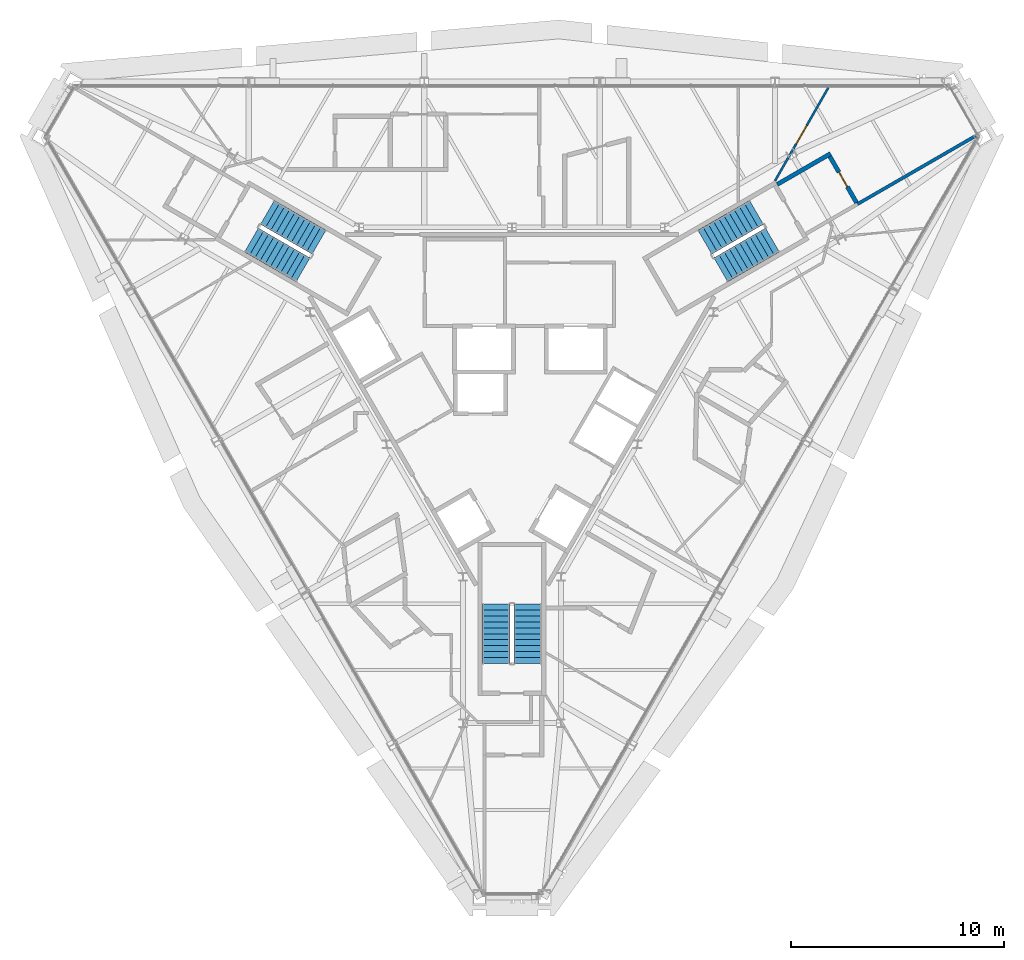
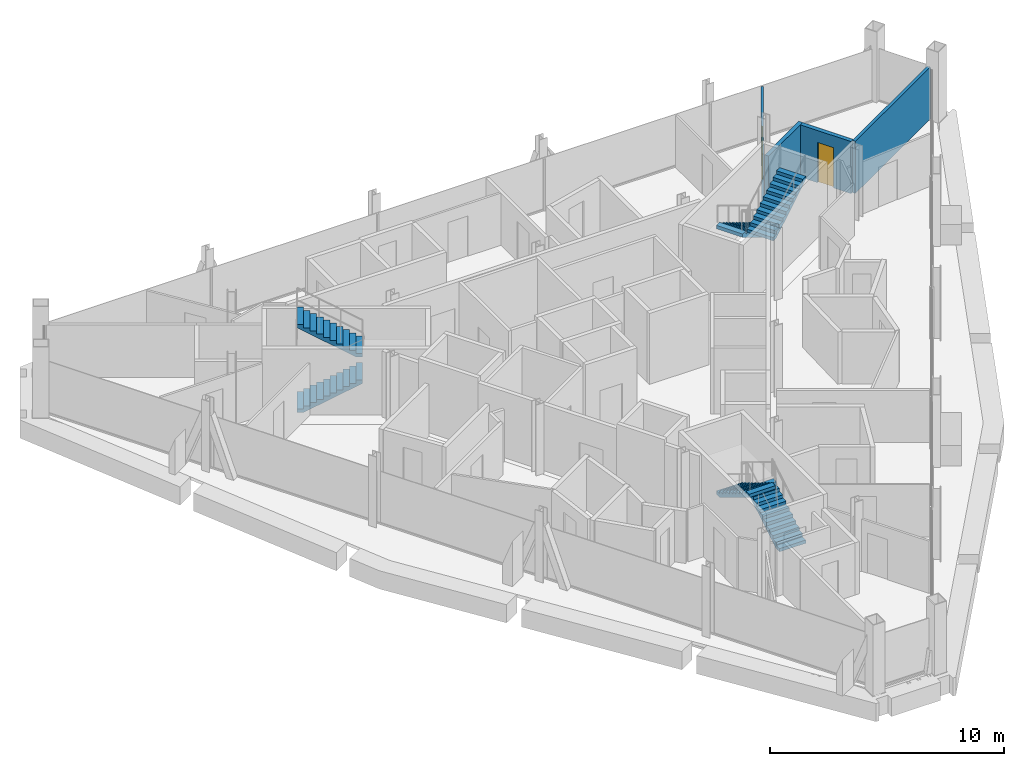
# One storey, part 11 of 13: 6 stair flights, 4 walls, 2 doors, 2 openings, 3 elements without a shape of their own.
"""IFC4 building model written with IfcOpenShell, lengths in metres."""

import ifcopenshell
import ifcopenshell.guid

model = None  # the IFC model being written
_history = None  # IfcOwnerHistory: only IFC2X3 demands one
_inside = {}  # id of a spatial element -> (the spatial element, [elements in it])
_under = {}  # id of a project, library or spatial element -> (it, [spatial elements below it])
_declared = {}  # id of a project -> (the project, [libraries it declares])
_typed = {}  # id of a type object -> (the type object, [elements of that type])
_made_of = {}  # id of a material, layer set ... -> (it, [elements and type objects made of it])


def new_model(schema):
    """Start an empty IFC model of exactly this schema.

    Asked for "IFC4X3", IfcOpenShell would pick the latest addendum, in which some entities
    have other attributes; the version numbers below select the first issue.
    IFC2X3 requires an IfcOwnerHistory on every rooted entity: one is made here for all.
    """
    global model, _history
    if schema == "IFC4X3":
        model = ifcopenshell.file(schema_version=(4, 3, 0, 0))
    else:
        model = ifcopenshell.file(schema=schema)
    _inside.clear()
    _under.clear()
    _declared.clear()
    _typed.clear()
    _made_of.clear()
    _history = None
    if model.schema == "IFC2X3":
        org = make("IfcOrganization", Name="unknown")
        user = make(
            "IfcPersonAndOrganization",
            ThePerson=make("IfcPerson", FamilyName="unknown"),
            TheOrganization=org,
        )
        app = make(
            "IfcApplication",
            ApplicationDeveloper=org,
            Version="unknown",
            ApplicationFullName="unknown",
            ApplicationIdentifier="unknown",
        )
        _history = make(
            "IfcOwnerHistory",
            OwningUser=user,
            OwningApplication=app,
            ChangeAction="ADDED",
            CreationDate=0,
        )
    return model


def make(cls, **values):
    """One entity of the class cls with the attributes given. An attribute that is None is left unset."""
    return model.create_entity(
        cls, **{name: value for name, value in values.items() if value is not None}
    )


def rooted(cls, **values):
    """An entity with a GlobalId (a new one), such as an element, a storey or a relation."""
    return make(cls, GlobalId=ifcopenshell.guid.new(), OwnerHistory=_history, **values)


def si_unit(unit_type, name, prefix=None):
    """IfcSIUnit, for example si_unit("LENGTHUNIT", "METRE", prefix="MILLI")."""
    return make("IfcSIUnit", UnitType=unit_type, Prefix=prefix, Name=name)


def assignment(units):
    """IfcUnitAssignment: the units of a project."""
    return None if units is None else make("IfcUnitAssignment", Units=units)


def point(xyz):
    """IfcCartesianPoint."""
    return None if xyz is None else make("IfcCartesianPoint", Coordinates=xyz)


def direction(xyz):
    """IfcDirection."""
    return None if xyz is None else make("IfcDirection", DirectionRatios=xyz)


def frame(location, z_axis=None, x_axis=None):
    """IfcAxis2Placement3D, a coordinate frame: its origin and axes. An axis left out is left unset."""
    return make(
        "IfcAxis2Placement3D",
        Location=point(location),
        Axis=direction(z_axis),
        RefDirection=direction(x_axis),
    )


def frame_2d(location, x_axis=None):
    """IfcAxis2Placement2D, a coordinate frame in the plane: its origin and x axis."""
    return make(
        "IfcAxis2Placement2D", Location=point(location), RefDirection=direction(x_axis)
    )


def origin():
    """The frame at (0, 0, 0) with its axes left unset."""
    return frame((0.0, 0.0, 0.0))


def place(relative_to, where):
    """IfcLocalPlacement: puts the frame where relative to a parent placement (None: the world)."""
    return make(
        "IfcLocalPlacement", PlacementRelTo=relative_to, RelativePlacement=where
    )


def context(
    kind, dimensions, precision=None, world=None, true_north=None, identifier=None
):
    """IfcGeometricRepresentationContext, for example the 3D "Model" context."""
    return make(
        "IfcGeometricRepresentationContext",
        ContextIdentifier=identifier,
        ContextType=kind,
        CoordinateSpaceDimension=dimensions,
        Precision=precision,
        WorldCoordinateSystem=world,
        TrueNorth=true_north,
    )


def subcontext(parent, identifier, kind, view, scale=None):
    """IfcGeometricRepresentationSubContext, for example "Body" below "Model"."""
    return make(
        "IfcGeometricRepresentationSubContext",
        ContextIdentifier=identifier,
        ContextType=kind,
        ParentContext=parent,
        TargetScale=scale,
        TargetView=view,
    )


def project(units=None, contexts=None):
    """IfcProject with its units and contexts."""
    return rooted(
        "IfcProject",
        Name="project",
        RepresentationContexts=contexts,
        UnitsInContext=assignment(units),
    )


def spatial(cls, under=None, at=None, **own):
    """A site, building, storey or space (cls), placed at a placement, below another one or the project."""
    s = rooted(cls, ObjectPlacement=at, **own)
    if under is not None:
        _under.setdefault(under.id(), (under, []))[1].append(s)
    return s


def polyline(points):
    """IfcPolyline through the points."""
    return make("IfcPolyline", Points=[point(p) for p in points])


def profile(cls, at=None, kind="AREA", **sizes):
    """A parametric profile (cls). Its sizes go by their IFC names, for example OverallWidth=200.0."""
    return make(cls, ProfileType=kind, Position=at, **sizes)


def rectangle(**sizes):
    """IfcRectangleProfileDef."""
    return profile("IfcRectangleProfileDef", **sizes)


def outline(outer, holes=None, kind="AREA"):
    """IfcArbitraryClosedProfileDef: a profile drawn as a closed curve; with holes, ...WithVoids."""
    if holes is None:
        return make("IfcArbitraryClosedProfileDef", ProfileType=kind, OuterCurve=outer)
    return make(
        "IfcArbitraryProfileDefWithVoids",
        ProfileType=kind,
        OuterCurve=outer,
        InnerCurves=holes,
    )


def extrude(swept, where, along, depth):
    """IfcExtrudedAreaSolid: the profile swept, set in the frame where, extruded along a direction by depth."""
    return make(
        "IfcExtrudedAreaSolid",
        SweptArea=swept,
        Position=where,
        ExtrudedDirection=direction(along),
        Depth=depth,
    )


def shape(context_of_items, identifier, shape_type, items):
    """IfcShapeRepresentation: the items that make up one representation, for example the "Body"."""
    return make(
        "IfcShapeRepresentation",
        ContextOfItems=context_of_items,
        RepresentationIdentifier=identifier,
        RepresentationType=shape_type,
        Items=items,
    )


def material(Name=None, Category=None):
    """IfcMaterial."""
    return make("IfcMaterial", Name=Name, Category=Category)


def layer(
    of_material, thickness, ventilated=None, Name=None, Category=None, Priority=None
):
    """IfcMaterialLayer: one layer of a wall or slab, of a material (None: an air gap)."""
    return make(
        "IfcMaterialLayer",
        Material=of_material,
        LayerThickness=thickness,
        IsVentilated=ventilated,
        Name=Name,
        Category=Category,
        Priority=Priority,
    )


def layer_set(layers, Name=None):
    """IfcMaterialLayerSet."""
    return make("IfcMaterialLayerSet", MaterialLayers=layers, LayerSetName=Name)


def made_of(thing, what):
    """Note that an element or type object is made of a material, layer set ...; save() writes the relation."""
    if what is not None:
        _made_of.setdefault(what.id(), (what, []))[1].append(thing)
    return thing


def type_object(cls, material=None, **own):
    """A type object (cls), such as IfcWallType, which elements share."""
    return made_of(rooted(cls, **own), material)


def element(
    cls,
    number,
    at=None,
    inside=None,
    cuts=None,
    type_object=None,
    material=None,
    context=None,
    identifier="Body",
    shape_type=None,
    held_by="IfcProductDefinitionShape",
    body=None,
    shapes=None,
    **own,
):
    """One element of the class cls, such as IfcWall. Its Tag is "e" and its number.

    at: its placement. inside: the storey or other place that contains it. cuts: it is an
    opening in that element (IfcRelVoidsElement). A single representation is given by context,
    identifier, shape_type and body (its items); several are given by shapes. held_by: the class
    of the entity that holds the representations. save() writes the other relations.
    """
    e = rooted(cls, Tag="e%d" % number, ObjectPlacement=at, **own)
    if body is not None:
        shapes = [shape(context, identifier, shape_type, body)]
    if shapes is not None:
        e.Representation = make(held_by, Representations=shapes)
    if inside is not None:
        _inside.setdefault(inside.id(), (inside, []))[1].append(e)
    if cuts is not None:
        rooted(
            "IfcRelVoidsElement", RelatingBuildingElement=cuts, RelatedOpeningElement=e
        )
    if type_object is not None:
        _typed.setdefault(type_object.id(), (type_object, []))[1].append(e)
    return made_of(e, material)


def fill(opening, filler):
    """IfcRelFillsElement: the door or window that sits in an opening."""
    return rooted(
        "IfcRelFillsElement",
        RelatingOpeningElement=opening,
        RelatedBuildingElement=filler,
    )


def aggregate(whole, parts):
    """IfcRelAggregates: a whole, such as a stair, and the parts it consists of."""
    return rooted("IfcRelAggregates", RelatingObject=whole, RelatedObjects=parts)


def save(model, path):
    """Write the relations noted so far, then the file.

    IfcRelAggregates (storeys below a building ...), IfcRelContainedInSpatialStructure (elements
    in a storey), IfcRelDefinesByType, IfcRelAssociatesMaterial and IfcRelDeclares: one each for
    every whole, place, type object, material and project.
    """
    for whole, parts in _under.values():
        aggregate(whole, parts)
    for where, things in _inside.values():
        rooted(
            "IfcRelContainedInSpatialStructure",
            RelatedElements=things,
            RelatingStructure=where,
        )
    for kind, things in _typed.values():
        rooted("IfcRelDefinesByType", RelatedObjects=things, RelatingType=kind)
    for what, things in _made_of.values():
        rooted("IfcRelAssociatesMaterial", RelatedObjects=things, RelatingMaterial=what)
    for by, libraries in _declared.values():
        rooted("IfcRelDeclares", RelatingContext=by, RelatedDefinitions=libraries)
    model.write(path)


model = new_model("IFC4")

# Units and contexts
model_context = context("Model", 3, precision=1e-05, world=origin(), true_north=direction((0.0, 1.0)))
body_context = subcontext(model_context, "Body", "Model", "MODEL_VIEW")
ifc_project = project(units=[si_unit("LENGTHUNIT", "METRE"), si_unit("AREAUNIT", "SQUARE_METRE"), si_unit("VOLUMEUNIT", "CUBIC_METRE"), si_unit("PLANEANGLEUNIT", "RADIAN"), si_unit("MASSUNIT", "GRAM", prefix="KILO")], contexts=[model_context])

# Site, building, storey
site_placement = place(None, origin())
site = spatial("IfcSite", under=ifc_project, at=site_placement, CompositionType="ELEMENT")
building_placement = place(site_placement, origin())
building = spatial("IfcBuilding", under=site, at=building_placement, Name="Verrane Prism Tower", CompositionType="ELEMENT")
storey_placement = place(building_placement, frame((0.0, 0.0, 282.5)))
storey = spatial("IfcBuildingStorey", under=building, at=storey_placement, Name="L71", CompositionType="ELEMENT", Elevation=282.5)

# Wall, opening, door
ifc_material_1 = material(Name="Gypsum board partition", Category="other")
ifc_layer_1 = layer(ifc_material_1, 0.10009765625)
ifc_layer_set_1 = layer_set([ifc_layer_1], Name="PW-100 room partition")
wall_type_1 = type_object("IfcWallType", Name="PW-100 room partition", PredefinedType="PARTITIONING", material=ifc_layer_set_1)
wall_1_placement = place(storey_placement, frame((14.867919921875, 13.361572265625, 0.0), z_axis=(0.0, 0.0, 1.0), x_axis=(-0.496681239155, -0.867933031214, 0.0)))
wall_1 = element("IfcWall", 1, at=wall_1_placement, inside=storey, type_object=wall_type_1, Name="Room partition 068", PredefinedType="PARTITIONING", context=body_context, shape_type="SweptSolid", body=[
    extrude(rectangle(XDim=5.041259765625, YDim=0.10009765625, at=frame_2d((2.5205078125, 0.0))), origin(), (0.0, 0.0, 1.0), 2.722900390625),
])
opening_1_placement = place(wall_1_placement, frame((2.041259765625, 0.0, 0.0)))
opening_1 = element("IfcOpeningElement", 2, at=opening_1_placement, cuts=wall_1, Name="Opening D69013", PredefinedType="OPENING", context=body_context, shape_type="SweptSolid", body=[
    extrude(rectangle(XDim=1.0, YDim=2.10009765625, at=frame_2d((0.5, 1.050048828125))), frame((0.0, 0.06005859375, 0.0), z_axis=(0.0, -1.0, 0.0), x_axis=(1.0, 0.0, 0.0)), (0.0, 0.0, 1.0), 0.1201171875),
])
ifc_material_2 = material(Name="Timber veneered door leaf", Category="wood")
door_type_1 = type_object("IfcDoorType", Name="DR-1000x2100 single leaf inner", OperationType="NOTDEFINED", PredefinedType="DOOR", material=ifc_material_2)
door_1_placement = place(opening_1_placement, origin())
door_1 = element("IfcDoor", 3, at=door_1_placement, inside=storey, type_object=door_type_1, Name="Study door", OperationType="SINGLE_SWING_RIGHT", OverallHeight=2.10009765625, OverallWidth=1.0, PredefinedType="DOOR", context=body_context, shape_type="SweptSolid", body=[
    extrude(rectangle(XDim=1.0, YDim=2.10009765625, at=frame_2d((0.5, 1.050048828125))), frame((0.0, 0.02490234375, 0.0), z_axis=(0.0, -1.0, 0.0), x_axis=(1.0, 0.0, 0.0)), (0.0, 0.0, 1.0), 0.050048828125),
])
fill(opening_1, door_1)

# Walls
ifc_material_3 = material(Name="Gypsum board partition", Category="other")
ifc_layer_2 = layer(ifc_material_3, 0.14990234375)
ifc_layer_set_2 = layer_set([ifc_layer_2], Name="PW-150 demising wall 1 h")
wall_type_2 = type_object("IfcWallType", Name="PW-150 demising wall 1 h", PredefinedType="PARTITIONING", material=ifc_layer_set_2)
wall_2_placement = place(storey_placement, frame((16.236083984375, 7.888916015625, 0.0), z_axis=(0.0, 0.0, 1.0), x_axis=(0.865995456094, 0.500051867335, 0.0)))
element("IfcWall", 4, at=wall_2_placement, inside=storey, type_object=wall_type_2, Name="Demising wall 075", PredefinedType="PARTITIONING", context=body_context, shape_type="SweptSolid", body=[
    extrude(rectangle(XDim=6.415283203125, YDim=0.14990234375, at=frame_2d((3.20751953125, 0.0))), origin(), (0.0, 0.0, 1.0), 2.722900390625),
])
ifc_material_4 = material(Name="Gypsum board partition", Category="other")
ifc_layer_3 = layer(ifc_material_4, 0.199951171875)
ifc_layer_set_3 = layer_set([ifc_layer_3], Name="PW-200 plumbing wall")
wall_type_3 = type_object("IfcWallType", Name="PW-200 plumbing wall", PredefinedType="PARTITIONING", material=ifc_layer_set_3)
wall_3_placement = place(storey_placement, frame((12.464111328125, 8.81298828125, 0.0), z_axis=(0.0, 0.0, 1.0), x_axis=(0.865948555758, 0.50013308107, 0.0)))
element("IfcWall", 5, at=wall_3_placement, inside=storey, type_object=wall_type_3, Name="Plumbing wall 069", PredefinedType="PARTITIONING", context=body_context, shape_type="SweptSolid", body=[
    extrude(rectangle(XDim=2.899169921875, YDim=0.199951171875, at=frame_2d((1.44970703125, 0.0))), origin(), (0.0, 0.0, 1.0), 2.722900390625),
])

# Wall, opening, door
wall_4_placement = place(storey_placement, frame((16.193603515625, 7.951904296875, 0.0), z_axis=(0.0, 0.0, 1.0), x_axis=(-0.500039460523, 0.866002620042, 0.0)))
wall_4 = element("IfcWall", 6, at=wall_4_placement, inside=storey, type_object=wall_type_3, Name="Plumbing wall 072", PredefinedType="PARTITIONING", context=body_context, shape_type="SweptSolid", body=[
    extrude(rectangle(XDim=2.510986328125, YDim=0.199951171875, at=frame_2d((1.25537109375, 0.0))), origin(), (0.0, 0.0, 1.0), 2.722900390625),
])
opening_2_placement = place(wall_4_placement, frame((0.86083984375, 0.0, 0.0)))
opening_2 = element("IfcOpeningElement", 7, at=opening_2_placement, cuts=wall_4, Name="Opening D69014", PredefinedType="OPENING", context=body_context, shape_type="SweptSolid", body=[
    extrude(rectangle(XDim=0.800048828125, YDim=2.10009765625, at=frame_2d((0.39990234375, 1.050048828125))), frame((0.0, 0.10986328125, 0.0), z_axis=(0.0, -1.0, 0.0), x_axis=(1.0, 0.0, 0.0)), (0.0, 0.0, 1.0), 0.219970703125),
])
ifc_material_5 = material(Name="Timber veneered door leaf", Category="wood")
door_type_2 = type_object("IfcDoorType", Name="DR-800x2100 single leaf bath", OperationType="NOTDEFINED", PredefinedType="DOOR", material=ifc_material_5)
door_2_placement = place(opening_2_placement, origin())
door_2 = element("IfcDoor", 8, at=door_2_placement, inside=storey, type_object=door_type_2, Name="Master Bathroom door", OperationType="SINGLE_SWING_LEFT", OverallHeight=2.10009765625, OverallWidth=0.800048828125, PredefinedType="DOOR", context=body_context, shape_type="SweptSolid", body=[
    extrude(rectangle(XDim=0.800048828125, YDim=2.10009765625, at=frame_2d((0.39990234375, 1.050048828125))), frame((0.0, 0.02490234375, 0.0), z_axis=(0.0, -1.0, 0.0), x_axis=(1.0, 0.0, 0.0)), (0.0, 0.0, 1.0), 0.050048828125),
])
fill(opening_2, door_2)

# Stair, stair flights
ifc_material_6 = material(Name="Concrete C40/50", Category="concrete")
stair_type = type_object("IfcStairType", Name="Exit stair 1300 dog-leg precast concrete C40/50", PredefinedType="HALF_TURN_STAIR", material=ifc_material_6)
stair_1_placement = place(storey_placement, origin())
stair_1 = element("IfcStair", 9, at=stair_1_placement, inside=storey, type_object=stair_type, Name="Stair 1 L71", PredefinedType="HALF_TURN_STAIR")
ifc_material_7 = material(Name="Concrete C40/50", Category="concrete")
stair_flight_type = type_object("IfcStairFlightType", Name="Stair flight 1300 precast concrete C40/50", PredefinedType="STRAIGHT", material=ifc_material_7)
stair_flight_1_placement = place(storey_placement, frame((11.489501953125, 7.49951171875, 0.0), z_axis=(0.0, 0.0, 1.0), x_axis=(-0.866025403784, -0.5, 0.0)))
stair_flight_1 = element("IfcStairFlight", 10, at=stair_flight_1_placement, type_object=stair_flight_type, Name="Stair 1 flight 1", NumberOfRisers=11, NumberOfTreads=10, PredefinedType="STRAIGHT", RiserHeight=0.168181818, TreadLength=0.28, context=body_context, shape_type="SweptSolid", body=[
    extrude(outline(polyline([(0.0, 0.0), (0.0, 0.168212890625), (0.280029296875, 0.168212890625), (0.280029296875, 0.33642578125), (0.56005859375, 0.33642578125), (0.56005859375, 0.504638671875), (0.840087890625, 0.504638671875), (0.840087890625, 0.672607421875), (1.1201171875, 0.672607421875), (1.1201171875, 0.8408203125), (1.39990234375, 0.8408203125), (1.39990234375, 1.009033203125), (1.679931640625, 1.009033203125), (1.679931640625, 1.17724609375), (1.9599609375, 1.17724609375), (1.9599609375, 1.345458984375), (2.239990234375, 1.345458984375), (2.239990234375, 1.513671875), (2.52001953125, 1.513671875), (2.52001953125, 1.681884765625), (2.800048828125, 1.681884765625), (2.800048828125, 1.85009765625), (2.800048828125, 1.5068359375), (0.291015625, 0.0), (0.0, 0.0)])), frame((0.0, 0.64990234375, 0.0), z_axis=(0.0, -1.0, 0.0), x_axis=(1.0, 0.0, 0.0)), (0.0, 0.0, 1.0), 1.300048828125),
])
stair_flight_2_placement = place(storey_placement, frame((9.814697265625, 4.800537109375, 1.85009765625), z_axis=(0.0, 0.0, 1.0), x_axis=(0.866025403784, 0.5, 0.0)))
stair_flight_2 = element("IfcStairFlight", 11, at=stair_flight_2_placement, type_object=stair_flight_type, Name="Stair 1 flight 2", NumberOfRisers=11, NumberOfTreads=10, PredefinedType="STRAIGHT", RiserHeight=0.168181818, TreadLength=0.28, context=body_context, shape_type="SweptSolid", body=[
    extrude(outline(polyline([(0.0, 0.0), (0.0, 0.168212890625), (0.280029296875, 0.168212890625), (0.280029296875, 0.33642578125), (0.56005859375, 0.33642578125), (0.56005859375, 0.504638671875), (0.840087890625, 0.504638671875), (0.840087890625, 0.672607421875), (1.1201171875, 0.672607421875), (1.1201171875, 0.8408203125), (1.39990234375, 0.8408203125), (1.39990234375, 1.009033203125), (1.679931640625, 1.009033203125), (1.679931640625, 1.17724609375), (1.9599609375, 1.17724609375), (1.9599609375, 1.345458984375), (2.239990234375, 1.345458984375), (2.239990234375, 1.513671875), (2.52001953125, 1.513671875), (2.52001953125, 1.681884765625), (2.800048828125, 1.681884765625), (2.800048828125, 1.85009765625), (2.800048828125, 1.5068359375), (0.291015625, 0.0), (0.0, 0.0)])), frame((0.0, 0.64990234375, 0.0), z_axis=(0.0, -1.0, 0.0), x_axis=(1.0, 0.0, 0.0)), (0.0, 0.0, 1.0), 1.300048828125),
])
aggregate(stair_1, [stair_flight_1, stair_flight_2])

stair_2_placement = place(storey_placement, origin())
stair_2 = element("IfcStair", 12, at=stair_2_placement, inside=storey, type_object=stair_type, Name="Stair 2 L71", PredefinedType="HALF_TURN_STAIR")
stair_flight_3_placement = place(storey_placement, frame((-12.239501953125, 6.200439453125, 0.0), z_axis=(0.0, 0.0, 1.0), x_axis=(0.866025403784, -0.5, 0.0)))
stair_flight_3 = element("IfcStairFlight", 13, at=stair_flight_3_placement, type_object=stair_flight_type, Name="Stair 2 flight 1", NumberOfRisers=11, NumberOfTreads=10, PredefinedType="STRAIGHT", RiserHeight=0.168181818, TreadLength=0.28, context=body_context, shape_type="SweptSolid", body=[
    extrude(outline(polyline([(0.0, 0.0), (0.0, 0.168212890625), (0.280029296875, 0.168212890625), (0.280029296875, 0.33642578125), (0.56005859375, 0.33642578125), (0.56005859375, 0.504638671875), (0.840087890625, 0.504638671875), (0.840087890625, 0.672607421875), (1.1201171875, 0.672607421875), (1.1201171875, 0.8408203125), (1.39990234375, 0.8408203125), (1.39990234375, 1.009033203125), (1.679931640625, 1.009033203125), (1.679931640625, 1.17724609375), (1.9599609375, 1.17724609375), (1.9599609375, 1.345458984375), (2.239990234375, 1.345458984375), (2.239990234375, 1.513671875), (2.52001953125, 1.513671875), (2.52001953125, 1.681884765625), (2.800048828125, 1.681884765625), (2.800048828125, 1.85009765625), (2.800048828125, 1.5068359375), (0.291015625, 0.0), (0.0, 0.0)])), frame((0.0, 0.64990234375, 0.0), z_axis=(0.0, -1.0, 0.0), x_axis=(1.0, 0.0, 0.0)), (0.0, 0.0, 1.0), 1.300048828125),
])
stair_flight_4_placement = place(storey_placement, frame((-9.064697265625, 6.099609375, 1.85009765625), z_axis=(0.0, 0.0, 1.0), x_axis=(-0.866025403784, 0.5, 0.0)))
stair_flight_4 = element("IfcStairFlight", 14, at=stair_flight_4_placement, type_object=stair_flight_type, Name="Stair 2 flight 2", NumberOfRisers=11, NumberOfTreads=10, PredefinedType="STRAIGHT", RiserHeight=0.168181818, TreadLength=0.28, context=body_context, shape_type="SweptSolid", body=[
    extrude(outline(polyline([(0.0, 0.0), (0.0, 0.168212890625), (0.280029296875, 0.168212890625), (0.280029296875, 0.33642578125), (0.56005859375, 0.33642578125), (0.56005859375, 0.504638671875), (0.840087890625, 0.504638671875), (0.840087890625, 0.672607421875), (1.1201171875, 0.672607421875), (1.1201171875, 0.8408203125), (1.39990234375, 0.8408203125), (1.39990234375, 1.009033203125), (1.679931640625, 1.009033203125), (1.679931640625, 1.17724609375), (1.9599609375, 1.17724609375), (1.9599609375, 1.345458984375), (2.239990234375, 1.345458984375), (2.239990234375, 1.513671875), (2.52001953125, 1.513671875), (2.52001953125, 1.681884765625), (2.800048828125, 1.681884765625), (2.800048828125, 1.85009765625), (2.800048828125, 1.5068359375), (0.291015625, 0.0), (0.0, 0.0)])), frame((0.0, 0.64990234375, 0.0), z_axis=(0.0, -1.0, 0.0), x_axis=(1.0, 0.0, 0.0)), (0.0, 0.0, 1.0), 1.300048828125),
])
aggregate(stair_2, [stair_flight_3, stair_flight_4])

stair_3_placement = place(storey_placement, origin())
stair_3 = element("IfcStair", 15, at=stair_3_placement, inside=storey, type_object=stair_type, Name="Stair 3 L71", PredefinedType="HALF_TURN_STAIR")
stair_flight_5_placement = place(storey_placement, frame((0.75, -13.699951171875, 0.0), z_axis=(0.0, 0.0, 1.0), x_axis=(0.0, 1.0, 0.0)))
stair_flight_5 = element("IfcStairFlight", 16, at=stair_flight_5_placement, type_object=stair_flight_type, Name="Stair 3 flight 1", NumberOfRisers=11, NumberOfTreads=10, PredefinedType="STRAIGHT", RiserHeight=0.168181818, TreadLength=0.28, context=body_context, shape_type="SweptSolid", body=[
    extrude(outline(polyline([(0.0, 0.0), (0.0, 0.168212890625), (0.280029296875, 0.168212890625), (0.280029296875, 0.33642578125), (0.56005859375, 0.33642578125), (0.56005859375, 0.504638671875), (0.840087890625, 0.504638671875), (0.840087890625, 0.672607421875), (1.1201171875, 0.672607421875), (1.1201171875, 0.8408203125), (1.39990234375, 0.8408203125), (1.39990234375, 1.009033203125), (1.679931640625, 1.009033203125), (1.679931640625, 1.17724609375), (1.9599609375, 1.17724609375), (1.9599609375, 1.345458984375), (2.239990234375, 1.345458984375), (2.239990234375, 1.513671875), (2.52001953125, 1.513671875), (2.52001953125, 1.681884765625), (2.800048828125, 1.681884765625), (2.800048828125, 1.85009765625), (2.800048828125, 1.5068359375), (0.291015625, 0.0), (0.0, 0.0)])), frame((0.0, 0.64990234375, 0.0), z_axis=(0.0, -1.0, 0.0), x_axis=(1.0, 0.0, 0.0)), (0.0, 0.0, 1.0), 1.300048828125),
])
stair_flight_6_placement = place(storey_placement, frame((-0.75, -10.89990234375, 1.85009765625), z_axis=(0.0, 0.0, 1.0), x_axis=(0.0, -1.0, 0.0)))
stair_flight_6 = element("IfcStairFlight", 17, at=stair_flight_6_placement, type_object=stair_flight_type, Name="Stair 3 flight 2", NumberOfRisers=11, NumberOfTreads=10, PredefinedType="STRAIGHT", RiserHeight=0.168181818, TreadLength=0.28, context=body_context, shape_type="SweptSolid", body=[
    extrude(outline(polyline([(0.0, 0.0), (0.0, 0.168212890625), (0.280029296875, 0.168212890625), (0.280029296875, 0.33642578125), (0.56005859375, 0.33642578125), (0.56005859375, 0.504638671875), (0.840087890625, 0.504638671875), (0.840087890625, 0.672607421875), (1.1201171875, 0.672607421875), (1.1201171875, 0.8408203125), (1.39990234375, 0.8408203125), (1.39990234375, 1.009033203125), (1.679931640625, 1.009033203125), (1.679931640625, 1.17724609375), (1.9599609375, 1.17724609375), (1.9599609375, 1.345458984375), (2.239990234375, 1.345458984375), (2.239990234375, 1.513671875), (2.52001953125, 1.513671875), (2.52001953125, 1.681884765625), (2.800048828125, 1.681884765625), (2.800048828125, 1.85009765625), (2.800048828125, 1.5068359375), (0.291015625, 0.0), (0.0, 0.0)])), frame((0.0, 0.64990234375, 0.0), z_axis=(0.0, -1.0, 0.0), x_axis=(1.0, 0.0, 0.0)), (0.0, 0.0, 1.0), 1.300048828125),
])
aggregate(stair_3, [stair_flight_5, stair_flight_6])

save(model, "model.ifc")
